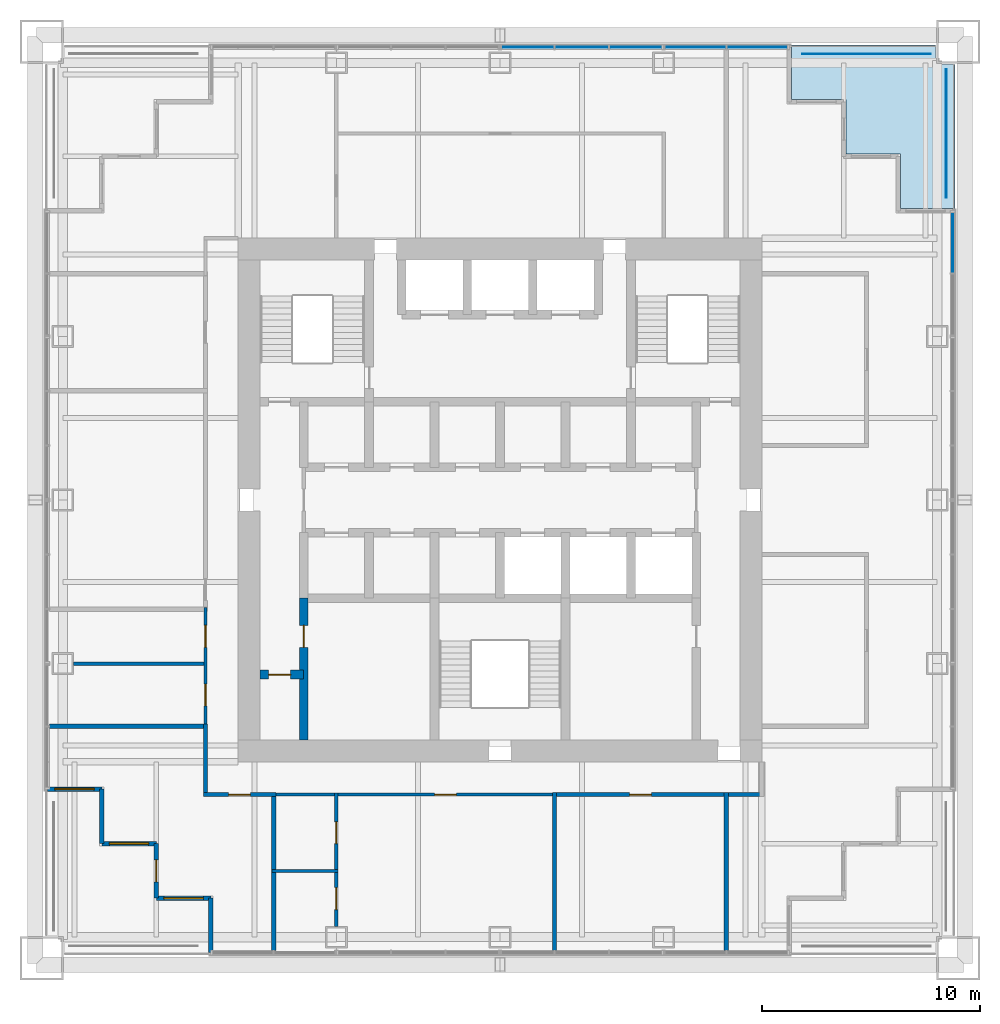
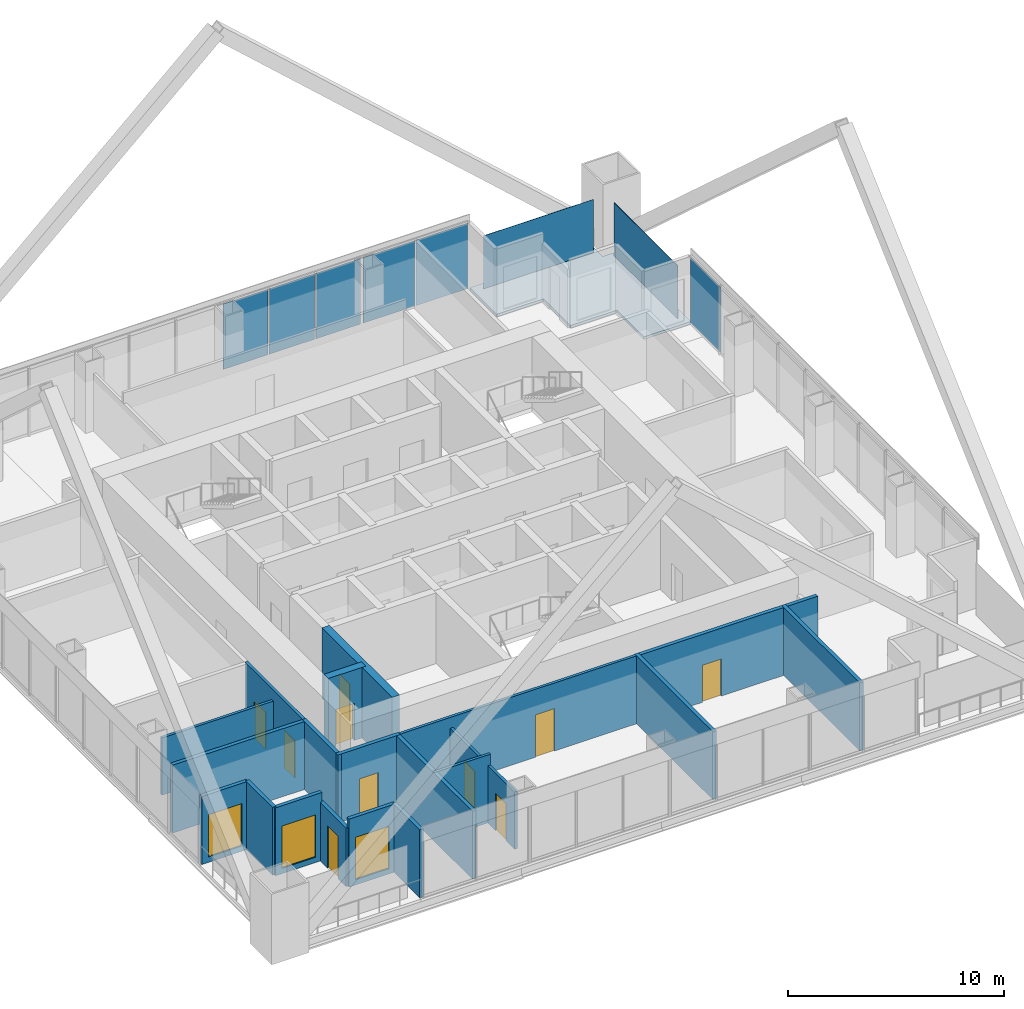
# One storey, part 8 of 13: 20 walls, 10 doors, 8 plates, 3 windows, 1 slab, 13 openings, 3 elements without a shape of their own.
"""IFC4 building model written with IfcOpenShell, lengths in metres."""

from ifc_helpers import new_model, si_unit, direction, frame, frame_2d, origin, origin_2d, place, context, subcontext, project, spatial, polyline, rectangle, outline, extrude, material, layer, layer_set, type_object, element, fill, aggregate, save


model = new_model("IFC4")

# Units and contexts
model_context = context("Model", 3, precision=1e-05, world=origin(), true_north=direction((0.0, 1.0)))
body_context = subcontext(model_context, "Body", "Model", "MODEL_VIEW")
ifc_project = project(units=[si_unit("LENGTHUNIT", "METRE"), si_unit("AREAUNIT", "SQUARE_METRE"), si_unit("VOLUMEUNIT", "CUBIC_METRE"), si_unit("PLANEANGLEUNIT", "RADIAN"), si_unit("MASSUNIT", "GRAM", prefix="KILO")], contexts=[model_context])

# Site, building, storey
site_placement = place(None, origin())
site = spatial("IfcSite", under=ifc_project, at=site_placement, CompositionType="ELEMENT")
building_placement = place(site_placement, origin())
building = spatial("IfcBuilding", under=site, at=building_placement, Name="Tarangal Relay Tower", CompositionType="ELEMENT")
storey_placement = place(building_placement, frame((0.0, 0.0, 259.89990234375)))
storey = spatial("IfcBuildingStorey", under=building, at=storey_placement, Name="L56", CompositionType="ELEMENT", Elevation=259.89990234375)

# Curtain wall, plates
ifc_material_1 = material(Name="Unitised curtain wall, dark glass and black aluminium", Category="aluminium")
curtain_wall_type = type_object("IfcCurtainWallType", Name="Curtain wall CW-S", PredefinedType="USERDEFINED", material=ifc_material_1)
curtain_wall_1_placement = place(storey_placement, origin())
curtain_wall_1 = element("IfcCurtainWall", 1, at=curtain_wall_1_placement, inside=storey, type_object=curtain_wall_type, Name="Curtain wall CW-S N facade L56", ObjectType="UNITISED CURTAIN WALL", PredefinedType="USERDEFINED")
ifc_material_2 = material(Name="Dark tinted insulated glass unit", Category="glass")
ifc_layer_1 = layer(ifc_material_2, 0.035888671875)
ifc_layer_set_1 = layer_set([ifc_layer_1], Name="Glazed panel CW-S 36")
plate_type_1 = type_object("IfcPlateType", Name="Glazed panel CW-S 36", PredefinedType="CURTAIN_PANEL", material=ifc_layer_set_1)
plate_1_placement = place(storey_placement, frame((1.268798828125, 20.75, 0.0751953125), z_axis=(0.0, 0.0, 1.0), x_axis=(1.0, 0.0, 0.0)))
plate_1 = element("IfcPlate", 2, at=plate_1_placement, type_object=plate_type_1, Name="CW-S panel 1.1", PredefinedType="CURTAIN_PANEL", context=body_context, shape_type="SweptSolid", body=[
    extrude(rectangle(XDim=2.387451171875, YDim=0.035888671875, at=origin_2d()), origin(), (0.0, 0.0, 1.0), 3.699951171875),
])
plate_2_placement = place(storey_placement, frame((3.75, 20.75, 0.0751953125), z_axis=(0.0, 0.0, 1.0), x_axis=(1.0, 0.0, 0.0)))
plate_2 = element("IfcPlate", 3, at=plate_2_placement, type_object=plate_type_1, Name="CW-S panel 2.1", PredefinedType="CURTAIN_PANEL", context=body_context, shape_type="SweptSolid", body=[
    extrude(rectangle(XDim=2.425048828125, YDim=0.035888671875, at=origin_2d()), origin(), (0.0, 0.0, 1.0), 3.699951171875),
])
plate_3_placement = place(storey_placement, frame((6.231201171875, 20.75, 0.0751953125), z_axis=(0.0, 0.0, 1.0), x_axis=(1.0, 0.0, 0.0)))
plate_3 = element("IfcPlate", 4, at=plate_3_placement, type_object=plate_type_1, Name="CW-S panel 3.1", PredefinedType="CURTAIN_PANEL", context=body_context, shape_type="SweptSolid", body=[
    extrude(rectangle(XDim=2.387451171875, YDim=0.035888671875, at=origin_2d()), origin(), (0.0, 0.0, 1.0), 3.699951171875),
])
aggregate(curtain_wall_1, [plate_1, plate_2, plate_3])

curtain_wall_2_placement = place(storey_placement, origin())
curtain_wall_2 = element("IfcCurtainWall", 5, at=curtain_wall_2_placement, inside=storey, type_object=curtain_wall_type, Name="Curtain wall CW-S N facade L56", ObjectType="UNITISED CURTAIN WALL", PredefinedType="USERDEFINED")
plate_4_placement = place(storey_placement, frame((8.956298828125, 20.75, 0.0751953125), z_axis=(0.0, 0.0, 1.0), x_axis=(1.0, 0.0, 0.0)))
plate_4 = element("IfcPlate", 6, at=plate_4_placement, type_object=plate_type_1, Name="CW-S panel 1.1", PredefinedType="CURTAIN_PANEL", context=body_context, shape_type="SweptSolid", body=[
    extrude(rectangle(XDim=2.762451171875, YDim=0.035888671875, at=origin_2d()), origin(), (0.0, 0.0, 1.0), 3.699951171875),
])
plate_5_placement = place(storey_placement, frame((11.793701171875, 20.75, 0.0751953125), z_axis=(0.0, 0.0, 1.0), x_axis=(1.0, 0.0, 0.0)))
plate_5 = element("IfcPlate", 7, at=plate_5_placement, type_object=plate_type_1, Name="CW-S panel 2.1", PredefinedType="CURTAIN_PANEL", context=body_context, shape_type="SweptSolid", body=[
    extrude(rectangle(XDim=2.762451171875, YDim=0.035888671875, at=origin_2d()), origin(), (0.0, 0.0, 1.0), 3.699951171875),
])
aggregate(curtain_wall_2, [plate_4, plate_5])

# Curtain wall, plate
curtain_wall_3_placement = place(storey_placement, origin())
curtain_wall_3 = element("IfcCurtainWall", 8, at=curtain_wall_3_placement, inside=storey, type_object=curtain_wall_type, Name="Curtain wall CW-S E facade L56", ObjectType="UNITISED CURTAIN WALL", PredefinedType="USERDEFINED")
plate_6_placement = place(storey_placement, frame((20.75, 11.793701171875, 0.0751953125), z_axis=(0.0, 0.0, 1.0), x_axis=(0.0, -1.0, 0.0)))
plate_6 = element("IfcPlate", 9, at=plate_6_placement, type_object=plate_type_1, Name="CW-S panel 1.1", PredefinedType="CURTAIN_PANEL", context=body_context, shape_type="SweptSolid", body=[
    extrude(rectangle(XDim=2.762451171875, YDim=0.035888671875, at=origin_2d()), origin(), (0.0, 0.0, 1.0), 3.699951171875),
])
aggregate(curtain_wall_3, [plate_6])

# Plates
ifc_material_3 = material(Name="Black stainless steel cable trellis with climbing planting", Category="steel")
ifc_layer_2 = layer(ifc_material_3, 0.030029296875)
ifc_layer_set_2 = layer_set([ifc_layer_2], Name="Planted trellis screen")
plate_type_2 = type_object("IfcPlateType", Name="Planted trellis screen", PredefinedType="SHEET", material=ifc_layer_set_2)
plate_7_placement = place(storey_placement, frame((20.449951171875, 16.800048828125, 0.0), z_axis=(0.0, 0.0, 1.0), x_axis=(0.0, -1.0, 0.0)))
element("IfcPlate", 10, at=plate_7_placement, inside=storey, type_object=plate_type_2, Name="Planted trellis SC2 NE L56", PredefinedType="SHEET", context=body_context, shape_type="SweptSolid", body=[
    extrude(rectangle(XDim=5.89990234375, YDim=0.030029296875, at=origin_2d()), origin(), (0.0, 0.0, 1.0), 3.0),
])
ifc_material_4 = material(Name="Perforated black aluminium screen", Category="aluminium")
ifc_layer_3 = layer(ifc_material_4, 0.02001953125)
ifc_layer_set_3 = layer_set([ifc_layer_3], Name="Terrace screen panel")
plate_type_3 = type_object("IfcPlateType", Name="Terrace screen panel", PredefinedType="SHEET", material=ifc_layer_set_3)
plate_8_placement = place(storey_placement, frame((16.800048828125, 20.449951171875, 0.0), z_axis=(0.0, 0.0, 1.0), x_axis=(1.0, 0.0, 0.0)))
element("IfcPlate", 11, at=plate_8_placement, inside=storey, type_object=plate_type_3, Name="Terrace screen SC1 NE L56", PredefinedType="SHEET", context=body_context, shape_type="SweptSolid", body=[
    extrude(rectangle(XDim=5.89990234375, YDim=0.02001953125, at=origin_2d()), origin(), (0.0, 0.0, 1.0), 3.0),
])

# Slab
ifc_material_5 = material(Name="Concrete fc' 35 MPa", Category="concrete")
ifc_layer_4 = layer(ifc_material_5, 0.14990234375)
ifc_layer_set_4 = layer_set([ifc_layer_4], Name="Terrace slab 150")
slab_type = type_object("IfcSlabType", Name="Terrace slab 150", PredefinedType="FLOOR", material=ifc_layer_set_4)
slab_placement = place(storey_placement, frame((0.0, 0.0, -0.14990234375)))
element("IfcSlab", 12, at=slab_placement, inside=storey, type_object=slab_type, Name="Corner terrace NE L56", PredefinedType="FLOOR", context=body_context, shape_type="SweptSolid", body=[
    extrude(outline(polyline([(13.35009765625, 20.85009765625), (13.35009765625, 18.35009765625), (15.85009765625, 18.35009765625), (15.85009765625, 15.85009765625), (18.35009765625, 15.85009765625), (18.35009765625, 13.35009765625), (20.85009765625, 13.35009765625), (20.85009765625, 19.949951171875), (19.949951171875, 19.949951171875), (19.949951171875, 20.85009765625), (13.35009765625, 20.85009765625)])), origin(), (0.0, 0.0, 1.0), 0.14990234375),
])

# Wall, opening, door
ifc_material_6 = material(Name="Two layers gypsum board each side on twin steel studs, mineral wool", Category="steel")
ifc_layer_5 = layer(ifc_material_6, 0.199951171875)
ifc_layer_set_5 = layer_set([ifc_layer_5], Name="Acoustic partition 200")
wall_type_1 = type_object("IfcWallType", Name="Acoustic partition 200", PredefinedType="PARTITIONING", material=ifc_layer_set_5)
wall_1_placement = place(storey_placement, frame((-13.60009765625, -13.5, 0.0), z_axis=(0.0, 0.0, 1.0), x_axis=(1.0, 0.0, 0.0)))
wall_1 = element("IfcWall", 13, at=wall_1_placement, inside=storey, type_object=wall_type_1, Name="Partition PT2 L56", PredefinedType="PARTITIONING", context=body_context, shape_type="SweptSolid", body=[
    extrude(rectangle(XDim=3.3251953125, YDim=0.199951171875, at=frame_2d((1.66259765625, 0.0))), origin(), (0.0, 0.0, 1.0), 3.85009765625),
])
opening_1_placement = place(wall_1_placement, frame((1.16259765625, 0.0, 0.0)))
opening_1 = element("IfcOpeningElement", 14, at=opening_1_placement, cuts=wall_1, Name="Opening D2", PredefinedType="OPENING", context=body_context, shape_type="SweptSolid", body=[
    extrude(rectangle(XDim=1.0, YDim=2.10009765625, at=frame_2d((0.5, 1.050048828125))), frame((0.0, 0.10986328125, 0.0), z_axis=(0.0, -1.0, 0.0), x_axis=(1.0, 0.0, 0.0)), (0.0, 0.0, 1.0), 0.219970703125),
])
ifc_material_7 = material(Name="Hardwood door", Category="wood")
door_type_1 = type_object("IfcDoorType", Name="Door 1000 x 2100", OperationType="SINGLE_SWING_LEFT", PredefinedType="DOOR", material=ifc_material_7)
door_1_placement = place(opening_1_placement, origin())
door_1 = element("IfcDoor", 15, at=door_1_placement, inside=storey, type_object=door_type_1, Name="Door D2 to prayer room for women L56-16", OperationType="SINGLE_SWING_LEFT", OverallHeight=2.10009765625, OverallWidth=1.0, PredefinedType="DOOR", context=body_context, shape_type="SweptSolid", body=[
    extrude(rectangle(XDim=1.0, YDim=2.10009765625, at=frame_2d((0.5, 1.050048828125))), frame((0.0, 0.02490234375, 0.0), z_axis=(0.0, -1.0, 0.0), x_axis=(1.0, 0.0, 0.0)), (0.0, 0.0, 1.0), 0.050048828125),
])
fill(opening_1, door_1)

wall_2_placement = place(storey_placement, frame((2.39990234375, -13.5, 0.0), z_axis=(0.0, 0.0, 1.0), x_axis=(1.0, 0.0, 0.0)))
wall_2 = element("IfcWall", 16, at=wall_2_placement, inside=storey, type_object=wall_type_1, Name="Partition PT2 L56", PredefinedType="PARTITIONING", context=body_context, shape_type="SweptSolid", body=[
    extrude(rectangle(XDim=9.7001953125, YDim=0.199951171875, at=frame_2d((4.85009765625, 0.0))), origin(), (0.0, 0.0, 1.0), 3.85009765625),
])
opening_2_placement = place(wall_2_placement, frame((3.53759765625, 0.0, 0.0)))
opening_2 = element("IfcOpeningElement", 17, at=opening_2_placement, cuts=wall_2, Name="Opening D2", PredefinedType="OPENING", context=body_context, shape_type="SweptSolid", body=[
    extrude(rectangle(XDim=1.0, YDim=2.10009765625, at=frame_2d((0.5, 1.050048828125))), frame((0.0, 0.10986328125, 0.0), z_axis=(0.0, -1.0, 0.0), x_axis=(1.0, 0.0, 0.0)), (0.0, 0.0, 1.0), 0.219970703125),
])
door_2_placement = place(opening_2_placement, origin())
door_2 = element("IfcDoor", 18, at=door_2_placement, inside=storey, type_object=door_type_1, Name="Door D2 to training room L56-06", OperationType="SINGLE_SWING_LEFT", OverallHeight=2.10009765625, OverallWidth=1.0, PredefinedType="DOOR", context=body_context, shape_type="SweptSolid", body=[
    extrude(rectangle(XDim=1.0, YDim=2.10009765625, at=frame_2d((0.5, 1.050048828125))), frame((0.0, 0.02490234375, 0.0), z_axis=(0.0, -1.0, 0.0), x_axis=(1.0, 0.0, 0.0)), (0.0, 0.0, 1.0), 0.050048828125),
])
fill(opening_2, door_2)

# Walls
wall_3_placement = place(storey_placement, frame((-20.64990234375, -10.375, 0.0), z_axis=(0.0, 0.0, 1.0), x_axis=(1.0, 0.0, 0.0)))
element("IfcWall", 19, at=wall_3_placement, inside=storey, type_object=wall_type_1, Name="Partition PT2 L56", PredefinedType="PARTITIONING", context=body_context, shape_type="SweptSolid", body=[
    extrude(rectangle(XDim=7.25, YDim=0.199951171875, at=frame_2d((3.625, 0.0))), origin(), (0.0, 0.0, 1.0), 3.85009765625),
])
wall_4_placement = place(storey_placement, frame((-13.5, -13.60009765625, 0.0), z_axis=(0.0, 0.0, 1.0), x_axis=(0.0, 1.0, 0.0)))
element("IfcWall", 20, at=wall_4_placement, inside=storey, type_object=wall_type_1, Name="Partition PT2 L56", PredefinedType="PARTITIONING", context=body_context, shape_type="SweptSolid", body=[
    extrude(rectangle(XDim=3.3251953125, YDim=0.199951171875, at=frame_2d((1.66259765625, 0.0))), origin(), (0.0, 0.0, 1.0), 3.85009765625),
])
for number, where, z_axis, x_axis, name in (
    (21, (-10.375, -20.64990234375, 0.0), (0.0, 0.0, 1.0), (0.0, 1.0, 0.0), "Partition PT2 L56"),
    (22, (2.5, -20.64990234375, 0.0), (0.0, 0.0, 1.0), (0.0, 1.0, 0.0), "Partition PT2 L56"),
    (23, (10.375, -20.64990234375, 0.0), (0.0, 0.0, 1.0), (0.0, 1.0, 0.0), "Partition PT2 L56"),
):
    element("IfcWall", number, at=place(storey_placement, frame(where, z_axis=z_axis, x_axis=x_axis)), inside=storey, type_object=wall_type_1, Name=name, PredefinedType="PARTITIONING", context=body_context, shape_type="SweptSolid", body=[
        extrude(rectangle(XDim=7.25, YDim=0.199951171875, at=frame_2d((3.625, 0.0))), origin(), (0.0, 0.0, 1.0), 3.85009765625),
    ])

# Wall, opening, door
ifc_material_8 = material(Name="Concrete fc' 60 MPa", Category="concrete")
ifc_layer_6 = layer(ifc_material_8, 0.39990234375)
ifc_layer_set_6 = layer_set([ifc_layer_6], Name="Core inner wall 400")
wall_type_2 = type_object("IfcWallType", Name="Core inner wall 400", PredefinedType="SHEAR", material=ifc_layer_set_6)
wall_5_placement = place(storey_placement, frame((-11.0, -8.0, 0.0), z_axis=(0.0, 0.0, 1.0), x_axis=(1.0, 0.0, 0.0)))
wall_5 = element("IfcWall", 24, at=wall_5_placement, inside=storey, type_object=wall_type_2, Name="Core wall YM8 L56", PredefinedType="SHEAR", context=body_context, shape_type="SweptSolid", body=[
    extrude(rectangle(XDim=2.0, YDim=0.39990234375, at=frame_2d((1.0, 0.0))), origin(), (0.0, 0.0, 1.0), 4.0),
])
opening_3_placement = place(wall_5_placement, frame((0.39990234375, 0.0, 0.0)))
opening_3 = element("IfcOpeningElement", 25, at=opening_3_placement, cuts=wall_5, Name="Opening D1", PredefinedType="OPENING", context=body_context, shape_type="SweptSolid", body=[
    extrude(rectangle(XDim=1.0, YDim=2.10009765625, at=frame_2d((0.5, 1.050048828125))), frame((0.0, 0.2099609375, 0.0), z_axis=(0.0, -1.0, 0.0), x_axis=(1.0, 0.0, 0.0)), (0.0, 0.0, 1.0), 0.419921875),
])
door_type_2 = type_object("IfcDoorType", Name="WC door 1000 x 2100", OperationType="SINGLE_SWING_LEFT", PredefinedType="DOOR", material=ifc_material_7)
door_3_placement = place(opening_3_placement, origin())
door_3 = element("IfcDoor", 26, at=door_3_placement, inside=storey, type_object=door_type_2, Name="Accessible WC door L56", OperationType="SINGLE_SWING_LEFT", OverallHeight=2.10009765625, OverallWidth=1.0, PredefinedType="DOOR", context=body_context, shape_type="SweptSolid", body=[
    extrude(rectangle(XDim=1.0, YDim=2.10009765625, at=frame_2d((0.5, 1.050048828125))), frame((0.0, 0.02490234375, 0.0), z_axis=(0.0, -1.0, 0.0), x_axis=(1.0, 0.0, 0.0)), (0.0, 0.0, 1.0), 0.050048828125),
])
fill(opening_3, door_3)

wall_6_placement = place(storey_placement, frame((-9.0, -11.0, 0.0), z_axis=(0.0, 0.0, 1.0), x_axis=(0.0, 1.0, 0.0)))
wall_6 = element("IfcWall", 27, at=wall_6_placement, inside=storey, type_object=wall_type_2, Name="Core wall XM9W L56", PredefinedType="SHEAR", context=body_context, shape_type="SweptSolid", body=[
    extrude(rectangle(XDim=6.5, YDim=0.39990234375, at=frame_2d((3.25, 0.0))), origin(), (0.0, 0.0, 1.0), 4.0),
])
opening_4_placement = place(wall_6_placement, frame((4.25, 0.0, 0.0)))
opening_4 = element("IfcOpeningElement", 28, at=opening_4_placement, cuts=wall_6, Name="Opening D1", PredefinedType="OPENING", context=body_context, shape_type="SweptSolid", body=[
    extrude(rectangle(XDim=1.0, YDim=2.10009765625, at=frame_2d((0.5, 1.050048828125))), frame((0.0, 0.2099609375, 0.0), z_axis=(0.0, -1.0, 0.0), x_axis=(1.0, 0.0, 0.0)), (0.0, 0.0, 1.0), 0.419921875),
])
door_4_placement = place(opening_4_placement, origin())
door_4 = element("IfcDoor", 29, at=door_4_placement, inside=storey, type_object=door_type_2, Name="Male WC door L56", OperationType="SINGLE_SWING_LEFT", OverallHeight=2.10009765625, OverallWidth=1.0, PredefinedType="DOOR", context=body_context, shape_type="SweptSolid", body=[
    extrude(rectangle(XDim=1.0, YDim=2.10009765625, at=frame_2d((0.5, 1.050048828125))), frame((0.0, 0.02490234375, 0.0), z_axis=(0.0, -1.0, 0.0), x_axis=(1.0, 0.0, 0.0)), (0.0, 0.0, 1.0), 0.050048828125),
])
fill(opening_4, door_4)

# Wall
ifc_material_9 = material(Name="Black metal clad insulated wall", Category="steel")
ifc_layer_7 = layer(ifc_material_9, 0.199951171875)
ifc_layer_set_7 = layer_set([ifc_layer_7], Name="Corner wall metal clad 200")
wall_type_3 = type_object("IfcWallType", Name="Corner wall metal clad 200", PredefinedType="SOLIDWALL", material=ifc_layer_set_7)
wall_7_placement = place(storey_placement, frame((-13.25, -20.75, 0.0), z_axis=(0.0, 0.0, 1.0), x_axis=(0.0, 1.0, 0.0)))
element("IfcWall", 30, at=wall_7_placement, inside=storey, type_object=wall_type_3, Name="Facade wall S facade L56", PredefinedType="SOLIDWALL", context=body_context, shape_type="SweptSolid", body=[
    extrude(rectangle(XDim=2.5, YDim=0.199951171875, at=frame_2d((1.25, 0.0))), origin(), (0.0, 0.0, 1.0), 3.85009765625),
])

# Wall, opening, window
wall_8_placement = place(storey_placement, frame((-13.25, -18.25, 0.0), z_axis=(0.0, 0.0, 1.0), x_axis=(-1.0, 0.0, 0.0)))
wall_8 = element("IfcWall", 31, at=wall_8_placement, inside=storey, type_object=wall_type_3, Name="Facade wall S facade L56", PredefinedType="SOLIDWALL", context=body_context, shape_type="SweptSolid", body=[
    extrude(rectangle(XDim=2.5, YDim=0.199951171875, at=frame_2d((1.25, 0.0))), origin(), (0.0, 0.0, 1.0), 3.85009765625),
])
opening_5_placement = place(wall_8_placement, frame((0.35009765625, 0.0, 0.300048828125)))
opening_5 = element("IfcOpeningElement", 32, at=opening_5_placement, cuts=wall_8, Name="Opening WN2", PredefinedType="OPENING", context=body_context, shape_type="SweptSolid", body=[
    extrude(rectangle(XDim=1.800048828125, YDim=2.39990234375, at=frame_2d((0.89990234375, 1.199951171875))), frame((0.0, 0.10986328125, 0.0), z_axis=(0.0, -1.0, 0.0), x_axis=(1.0, 0.0, 0.0)), (0.0, 0.0, 1.0), 0.219970703125),
])
ifc_material_10 = material(Name="Dark tinted double glazing in black aluminium frame", Category="aluminium")
window_type = type_object("IfcWindowType", Name="Corner window 1800 x 2400", PartitioningType="SINGLE_PANEL", PredefinedType="WINDOW", material=ifc_material_10)
window_1_placement = place(opening_5_placement, origin())
window_1 = element("IfcWindow", 33, at=window_1_placement, inside=storey, type_object=window_type, Name="Corner window WN2 S facade L56", OverallHeight=2.39990234375, OverallWidth=1.800048828125, PartitioningType="SINGLE_PANEL", PredefinedType="WINDOW", context=body_context, shape_type="SweptSolid", body=[
    extrude(rectangle(XDim=1.800048828125, YDim=2.39990234375, at=frame_2d((0.89990234375, 1.199951171875))), frame((0.0, 0.030029296875, 0.0), z_axis=(0.0, -1.0, 0.0), x_axis=(1.0, 0.0, 0.0)), (0.0, 0.0, 1.0), 0.06005859375),
])
fill(opening_5, window_1)

# Wall, opening, door
wall_9_placement = place(storey_placement, frame((-15.75, -18.25, 0.0), z_axis=(0.0, 0.0, 1.0), x_axis=(0.0, 1.0, 0.0)))
wall_9 = element("IfcWall", 34, at=wall_9_placement, inside=storey, type_object=wall_type_3, Name="Facade wall S facade L56", PredefinedType="SOLIDWALL", context=body_context, shape_type="SweptSolid", body=[
    extrude(rectangle(XDim=2.5, YDim=0.199951171875, at=frame_2d((1.25, 0.0))), origin(), (0.0, 0.0, 1.0), 3.316650390625),
])
opening_6_placement = place(wall_9_placement, frame((0.75, 0.0, 0.0)))
opening_6 = element("IfcOpeningElement", 35, at=opening_6_placement, cuts=wall_9, Name="Opening TD1", PredefinedType="OPENING", context=body_context, shape_type="SweptSolid", body=[
    extrude(rectangle(XDim=1.0, YDim=2.39990234375, at=frame_2d((0.5, 1.199951171875))), frame((0.0, 0.10986328125, 0.0), z_axis=(0.0, -1.0, 0.0), x_axis=(1.0, 0.0, 0.0)), (0.0, 0.0, 1.0), 0.219970703125),
])
ifc_material_11 = material(Name="Aluminium glazed door", Category="aluminium")
door_type_3 = type_object("IfcDoorType", Name="Terrace door 1000 x 2400", OperationType="SINGLE_SWING_RIGHT", PredefinedType="DOOR", material=ifc_material_11)
door_5_placement = place(opening_6_placement, origin())
door_5 = element("IfcDoor", 36, at=door_5_placement, inside=storey, type_object=door_type_3, Name="Terrace door TD1 SW L56", OperationType="SINGLE_SWING_RIGHT", OverallHeight=2.39990234375, OverallWidth=1.0, PredefinedType="DOOR", context=body_context, shape_type="SweptSolid", body=[
    extrude(rectangle(XDim=1.0, YDim=2.39990234375, at=frame_2d((0.5, 1.199951171875))), frame((0.0, 0.02490234375, 0.0), z_axis=(0.0, -1.0, 0.0), x_axis=(1.0, 0.0, 0.0)), (0.0, 0.0, 1.0), 0.050048828125),
])
fill(opening_6, door_5)

# Wall, opening, window
wall_10_placement = place(storey_placement, frame((-15.75, -15.75, 0.0), z_axis=(0.0, 0.0, 1.0), x_axis=(-1.0, 0.0, 0.0)))
wall_10 = element("IfcWall", 37, at=wall_10_placement, inside=storey, type_object=wall_type_3, Name="Facade wall S facade L56", PredefinedType="SOLIDWALL", context=body_context, shape_type="SweptSolid", body=[
    extrude(rectangle(XDim=2.5, YDim=0.199951171875, at=frame_2d((1.25, 0.0))), origin(), (0.0, 0.0, 1.0), 3.85009765625),
])
opening_7_placement = place(wall_10_placement, frame((0.35009765625, 0.0, 0.300048828125)))
opening_7 = element("IfcOpeningElement", 38, at=opening_7_placement, cuts=wall_10, Name="Opening WN2", PredefinedType="OPENING", context=body_context, shape_type="SweptSolid", body=[
    extrude(rectangle(XDim=1.800048828125, YDim=2.39990234375, at=frame_2d((0.89990234375, 1.199951171875))), frame((0.0, 0.10986328125, 0.0), z_axis=(0.0, -1.0, 0.0), x_axis=(1.0, 0.0, 0.0)), (0.0, 0.0, 1.0), 0.219970703125),
])
window_2_placement = place(opening_7_placement, origin())
window_2 = element("IfcWindow", 39, at=window_2_placement, inside=storey, type_object=window_type, Name="Corner window WN2 S facade L56", OverallHeight=2.39990234375, OverallWidth=1.800048828125, PartitioningType="SINGLE_PANEL", PredefinedType="WINDOW", context=body_context, shape_type="SweptSolid", body=[
    extrude(rectangle(XDim=1.800048828125, YDim=2.39990234375, at=frame_2d((0.89990234375, 1.199951171875))), frame((0.0, 0.030029296875, 0.0), z_axis=(0.0, -1.0, 0.0), x_axis=(1.0, 0.0, 0.0)), (0.0, 0.0, 1.0), 0.06005859375),
])
fill(opening_7, window_2)

# Wall
wall_11_placement = place(storey_placement, frame((-18.25, -15.75, 0.0), z_axis=(0.0, 0.0, 1.0), x_axis=(0.0, 1.0, 0.0)))
element("IfcWall", 40, at=wall_11_placement, inside=storey, type_object=wall_type_3, Name="Facade wall S facade L56", PredefinedType="SOLIDWALL", context=body_context, shape_type="SweptSolid", body=[
    extrude(rectangle(XDim=2.5, YDim=0.199951171875, at=frame_2d((1.25, 0.0))), origin(), (0.0, 0.0, 1.0), 3.85009765625),
])

# Wall, opening, window
wall_12_placement = place(storey_placement, frame((-18.25, -13.25, 0.0), z_axis=(0.0, 0.0, 1.0), x_axis=(-1.0, 0.0, 0.0)))
wall_12 = element("IfcWall", 41, at=wall_12_placement, inside=storey, type_object=wall_type_3, Name="Facade wall S facade L56", PredefinedType="SOLIDWALL", context=body_context, shape_type="SweptSolid", body=[
    extrude(rectangle(XDim=2.5, YDim=0.199951171875, at=frame_2d((1.25, 0.0))), origin(), (0.0, 0.0, 1.0), 3.85009765625),
])
opening_8_placement = place(wall_12_placement, frame((0.35009765625, 0.0, 0.300048828125)))
opening_8 = element("IfcOpeningElement", 42, at=opening_8_placement, cuts=wall_12, Name="Opening WN2", PredefinedType="OPENING", context=body_context, shape_type="SweptSolid", body=[
    extrude(rectangle(XDim=1.800048828125, YDim=2.39990234375, at=frame_2d((0.89990234375, 1.199951171875))), frame((0.0, 0.10986328125, 0.0), z_axis=(0.0, -1.0, 0.0), x_axis=(1.0, 0.0, 0.0)), (0.0, 0.0, 1.0), 0.219970703125),
])
window_3_placement = place(opening_8_placement, origin())
window_3 = element("IfcWindow", 43, at=window_3_placement, inside=storey, type_object=window_type, Name="Corner window WN2 S facade L56", OverallHeight=2.39990234375, OverallWidth=1.800048828125, PartitioningType="SINGLE_PANEL", PredefinedType="WINDOW", context=body_context, shape_type="SweptSolid", body=[
    extrude(rectangle(XDim=1.800048828125, YDim=2.39990234375, at=frame_2d((0.89990234375, 1.199951171875))), frame((0.0, 0.030029296875, 0.0), z_axis=(0.0, -1.0, 0.0), x_axis=(1.0, 0.0, 0.0)), (0.0, 0.0, 1.0), 0.06005859375),
])
fill(opening_8, window_3)

# Wall
ifc_material_12 = material(Name="Gypsum board on steel studs", Category="steel")
ifc_layer_8 = layer(ifc_material_12, 0.14990234375)
ifc_layer_set_8 = layer_set([ifc_layer_8], Name="Partition 150")
wall_type_4 = type_object("IfcWallType", Name="Partition 150", PredefinedType="PARTITIONING", material=ifc_layer_set_8)
wall_13_placement = place(storey_placement, frame((-10.449951171875, -17.0, 0.0), z_axis=(0.0, 0.0, 1.0), x_axis=(1.0, 0.0, 0.0)))
element("IfcWall", 44, at=wall_13_placement, inside=storey, type_object=wall_type_4, Name="Partition PT1 L56", PredefinedType="PARTITIONING", context=body_context, shape_type="SweptSolid", body=[
    extrude(rectangle(XDim=3.02490234375, YDim=0.14990234375, at=frame_2d((1.512451171875, 0.0))), origin(), (0.0, 0.0, 1.0), 3.85009765625),
])

# Wall, opening, door
wall_14_placement = place(storey_placement, frame((-10.449951171875, -13.5, 0.0), z_axis=(0.0, 0.0, 1.0), x_axis=(1.0, 0.0, 0.0)))
wall_14 = element("IfcWall", 45, at=wall_14_placement, inside=storey, type_object=wall_type_4, Name="Partition PT1 L56", PredefinedType="PARTITIONING", context=body_context, shape_type="SweptSolid", body=[
    extrude(rectangle(XDim=13.02490234375, YDim=0.14990234375, at=frame_2d((6.512451171875, 0.0))), origin(), (0.0, 0.0, 1.0), 3.85009765625),
])
opening_9_placement = place(wall_14_placement, frame((7.449951171875, 0.0, 0.0)))
opening_9 = element("IfcOpeningElement", 46, at=opening_9_placement, cuts=wall_14, Name="Opening SD1", PredefinedType="OPENING", context=body_context, shape_type="SweptSolid", body=[
    extrude(rectangle(XDim=1.0, YDim=2.39990234375, at=frame_2d((0.5, 1.199951171875))), frame((0.0, 0.0849609375, 0.0), z_axis=(0.0, -1.0, 0.0), x_axis=(1.0, 0.0, 0.0)), (0.0, 0.0, 1.0), 0.169921875),
])
ifc_material_13 = material(Name="Steel door with hardwood frame", Category="steel")
door_type_4 = type_object("IfcDoorType", Name="Suite entrance door 1000 x 2400", OperationType="SINGLE_SWING_RIGHT", PredefinedType="DOOR", material=ifc_material_13)
door_6_placement = place(opening_9_placement, origin())
door_6 = element("IfcDoor", 47, at=door_6_placement, inside=storey, type_object=door_type_4, Name="Door SD1 to fitness centre L56-07", OperationType="SINGLE_SWING_RIGHT", OverallHeight=2.39990234375, OverallWidth=1.0, PredefinedType="DOOR", context=body_context, shape_type="SweptSolid", body=[
    extrude(rectangle(XDim=1.0, YDim=2.39990234375, at=frame_2d((0.5, 1.199951171875))), frame((0.0, 0.02490234375, 0.0), z_axis=(0.0, -1.0, 0.0), x_axis=(1.0, 0.0, 0.0)), (0.0, 0.0, 1.0), 0.050048828125),
])
fill(opening_9, door_6)

# Wall
wall_15_placement = place(storey_placement, frame((-19.5400390625, -7.5, 0.0), z_axis=(0.0, 0.0, 1.0), x_axis=(1.0, 0.0, 0.0)))
element("IfcWall", 48, at=wall_15_placement, inside=storey, type_object=wall_type_4, Name="Partition PT1 L56", PredefinedType="PARTITIONING", context=body_context, shape_type="SweptSolid", body=[
    extrude(rectangle(XDim=6.114990234375, YDim=0.14990234375, at=frame_2d((3.0576171875, 0.0))), origin(), (0.0, 0.0, 1.0), 3.2431640625),
])

# Wall, openings, doors
wall_16_placement = place(storey_placement, frame((-13.5, -10.449951171875, 0.0), z_axis=(0.0, 0.0, 1.0), x_axis=(0.0, 1.0, 0.0)))
wall_16 = element("IfcWall", 49, at=wall_16_placement, inside=storey, type_object=wall_type_4, Name="Partition PT1 L56", PredefinedType="PARTITIONING", context=body_context, shape_type="SweptSolid", body=[
    extrude(rectangle(XDim=5.52490234375, YDim=0.14990234375, at=frame_2d((2.762451171875, 0.0))), origin(), (0.0, 0.0, 1.0), 3.85009765625),
])
opening_10_placement = place(wall_16_placement, frame((1.012451171875, 0.0, 0.0)))
opening_10 = element("IfcOpeningElement", 50, at=opening_10_placement, cuts=wall_16, Name="Opening D1", PredefinedType="OPENING", context=body_context, shape_type="SweptSolid", body=[
    extrude(rectangle(XDim=1.0, YDim=2.10009765625, at=frame_2d((0.5, 1.050048828125))), frame((0.0, 0.0849609375, 0.0), z_axis=(0.0, -1.0, 0.0), x_axis=(1.0, 0.0, 0.0)), (0.0, 0.0, 1.0), 0.169921875),
])
opening_11_placement = place(wall_16_placement, frame((3.699951171875, 0.0, 0.0)))
opening_11 = element("IfcOpeningElement", 51, at=opening_11_placement, cuts=wall_16, Name="Opening D1", PredefinedType="OPENING", context=body_context, shape_type="SweptSolid", body=[
    extrude(rectangle(XDim=1.0, YDim=2.10009765625, at=frame_2d((0.5, 1.050048828125))), frame((0.0, 0.0849609375, 0.0), z_axis=(0.0, -1.0, 0.0), x_axis=(1.0, 0.0, 0.0)), (0.0, 0.0, 1.0), 0.169921875),
])
door_7_placement = place(opening_10_placement, origin())
door_7 = element("IfcDoor", 52, at=door_7_placement, inside=storey, type_object=door_type_2, Name="Door D1 to ablution room for women L56-10", OperationType="SINGLE_SWING_LEFT", OverallHeight=2.10009765625, OverallWidth=1.0, PredefinedType="DOOR", context=body_context, shape_type="SweptSolid", body=[
    extrude(rectangle(XDim=1.0, YDim=2.10009765625, at=frame_2d((0.5, 1.050048828125))), frame((0.0, 0.02490234375, 0.0), z_axis=(0.0, -1.0, 0.0), x_axis=(1.0, 0.0, 0.0)), (0.0, 0.0, 1.0), 0.050048828125),
])
fill(opening_10, door_7)
door_8_placement = place(opening_11_placement, origin())
door_8 = element("IfcDoor", 53, at=door_8_placement, inside=storey, type_object=door_type_2, Name="Door D1 to ablution room for men L56-11", OperationType="SINGLE_SWING_LEFT", OverallHeight=2.10009765625, OverallWidth=1.0, PredefinedType="DOOR", context=body_context, shape_type="SweptSolid", body=[
    extrude(rectangle(XDim=1.0, YDim=2.10009765625, at=frame_2d((0.5, 1.050048828125))), frame((0.0, 0.02490234375, 0.0), z_axis=(0.0, -1.0, 0.0), x_axis=(1.0, 0.0, 0.0)), (0.0, 0.0, 1.0), 0.050048828125),
])
fill(opening_11, door_8)

wall_17_placement = place(storey_placement, frame((-7.5, -19.5400390625, 0.0), z_axis=(0.0, 0.0, 1.0), x_axis=(0.0, 1.0, 0.0)))
wall_17 = element("IfcWall", 54, at=wall_17_placement, inside=storey, type_object=wall_type_4, Name="Partition PT1 L56", PredefinedType="PARTITIONING", context=body_context, shape_type="SweptSolid", body=[
    extrude(rectangle(XDim=6.114990234375, YDim=0.14990234375, at=frame_2d((3.0576171875, 0.0))), origin(), (0.0, 0.0, 1.0), 3.2431640625),
])
opening_12_placement = place(wall_17_placement, frame((3.7900390625, 0.0, 0.0)))
opening_12 = element("IfcOpeningElement", 55, at=opening_12_placement, cuts=wall_17, Name="Opening D1", PredefinedType="OPENING", context=body_context, shape_type="SweptSolid", body=[
    extrude(rectangle(XDim=1.0, YDim=2.10009765625, at=frame_2d((0.5, 1.050048828125))), frame((0.0, 0.0849609375, 0.0), z_axis=(0.0, -1.0, 0.0), x_axis=(1.0, 0.0, 0.0)), (0.0, 0.0, 1.0), 0.169921875),
])
opening_13_placement = place(wall_17_placement, frame((0.77001953125, 0.0, 0.0)))
opening_13 = element("IfcOpeningElement", 56, at=opening_13_placement, cuts=wall_17, Name="Opening D1", PredefinedType="OPENING", context=body_context, shape_type="SweptSolid", body=[
    extrude(rectangle(XDim=1.0, YDim=2.10009765625, at=frame_2d((0.5, 1.050048828125))), frame((0.0, 0.0849609375, 0.0), z_axis=(0.0, -1.0, 0.0), x_axis=(1.0, 0.0, 0.0)), (0.0, 0.0, 1.0), 0.169921875),
])
door_9_placement = place(opening_12_placement, origin())
door_9 = element("IfcDoor", 57, at=door_9_placement, inside=storey, type_object=door_type_2, Name="Door D1 to changing room for men L56-08", OperationType="SINGLE_SWING_LEFT", OverallHeight=2.10009765625, OverallWidth=1.0, PredefinedType="DOOR", context=body_context, shape_type="SweptSolid", body=[
    extrude(rectangle(XDim=1.0, YDim=2.10009765625, at=frame_2d((0.5, 1.050048828125))), frame((0.0, 0.02490234375, 0.0), z_axis=(0.0, -1.0, 0.0), x_axis=(1.0, 0.0, 0.0)), (0.0, 0.0, 1.0), 0.050048828125),
])
fill(opening_12, door_9)
door_10_placement = place(opening_13_placement, origin())
door_10 = element("IfcDoor", 58, at=door_10_placement, inside=storey, type_object=door_type_2, Name="Door D1 to changing room for women L56-09", OperationType="SINGLE_SWING_LEFT", OverallHeight=2.10009765625, OverallWidth=1.0, PredefinedType="DOOR", context=body_context, shape_type="SweptSolid", body=[
    extrude(rectangle(XDim=1.0, YDim=2.10009765625, at=frame_2d((0.5, 1.050048828125))), frame((0.0, 0.02490234375, 0.0), z_axis=(0.0, -1.0, 0.0), x_axis=(1.0, 0.0, 0.0)), (0.0, 0.0, 1.0), 0.050048828125),
])
fill(opening_13, door_10)

save(model, "model.ifc")
